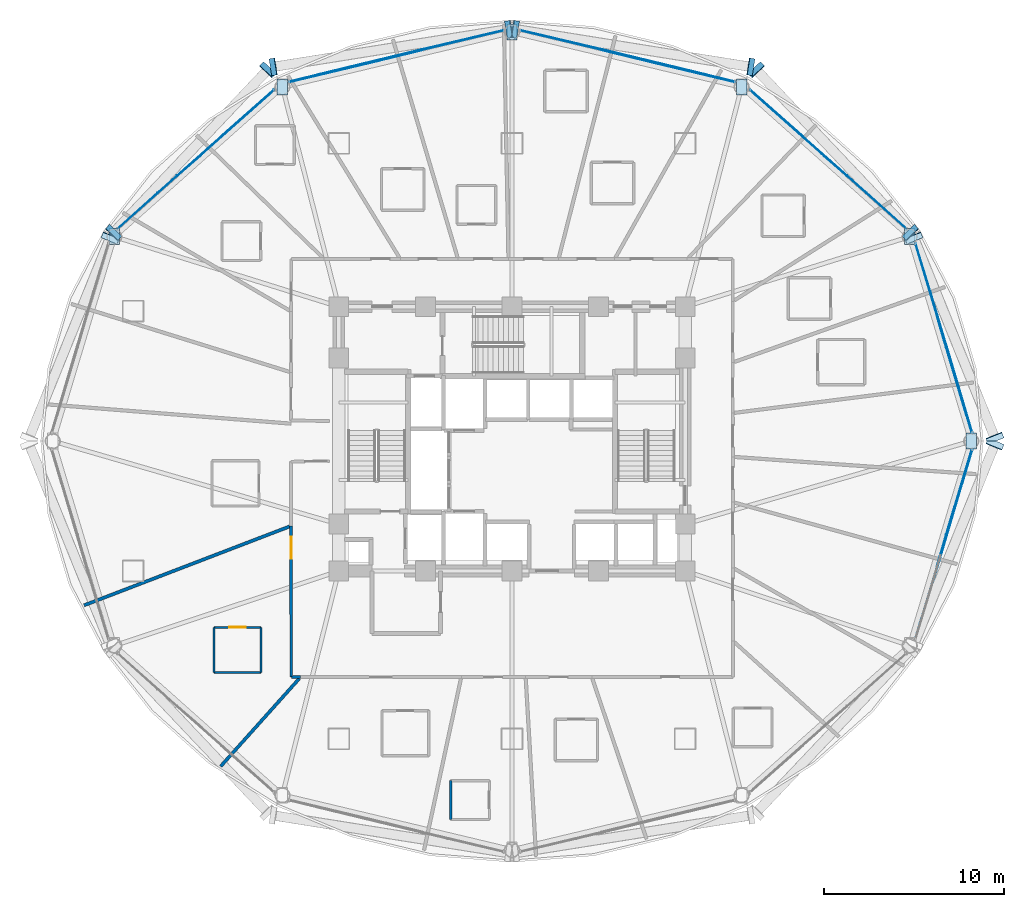
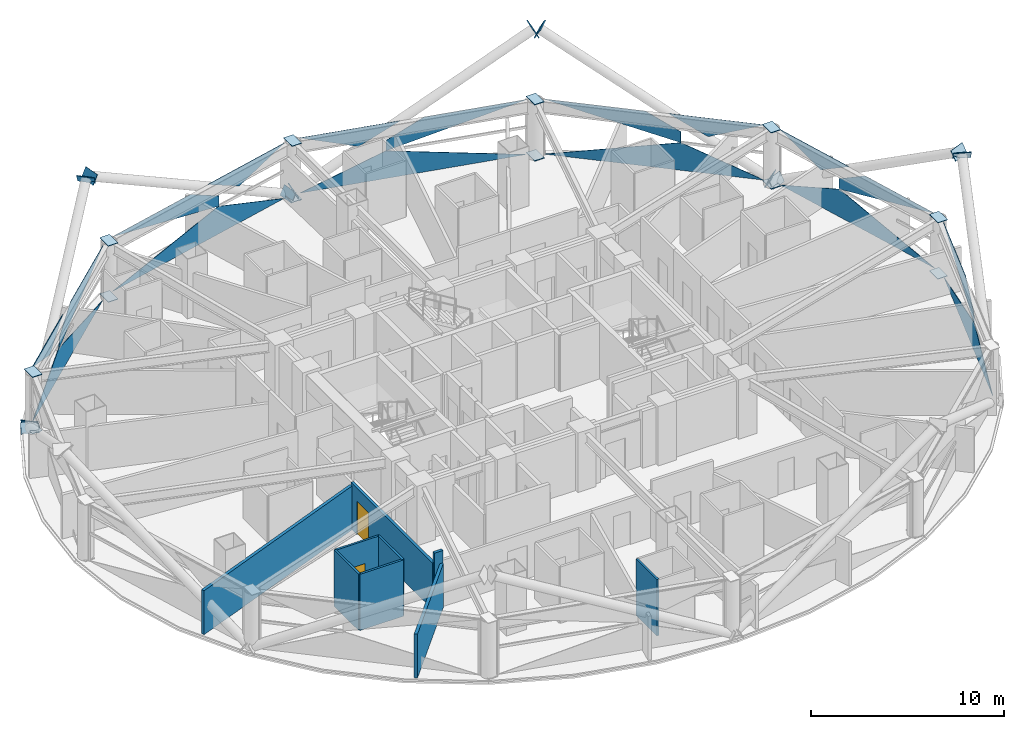
# One storey, part 22 of 31: 41 plates, 9 walls, 2 doors, 2 openings, 6 elements without a shape of their own.
"""IFC4 building model written with IfcOpenShell, lengths in metres."""

from ifc_helpers import new_model, si_unit, direction, frame, frame_2d, origin, place, context, subcontext, project, spatial, polyline, rectangle, outline, extrude, material, layer, layer_set, type_object, element, fill, aggregate, save


model = new_model("IFC4")

# Units and contexts
model_context = context("Model", 3, precision=1e-05, world=origin(), true_north=direction((0.0, 1.0)))
body_context = subcontext(model_context, "Body", "Model", "MODEL_VIEW")
ifc_project = project(units=[si_unit("LENGTHUNIT", "METRE"), si_unit("AREAUNIT", "SQUARE_METRE"), si_unit("VOLUMEUNIT", "CUBIC_METRE"), si_unit("PLANEANGLEUNIT", "RADIAN"), si_unit("MASSUNIT", "GRAM", prefix="KILO")], contexts=[model_context])

# Site, building, storey
site_placement = place(None, origin())
site = spatial("IfcSite", under=ifc_project, at=site_placement, CompositionType="ELEMENT")
building_placement = place(site_placement, origin())
building = spatial("IfcBuilding", under=site, at=building_placement, Name="Vantalir Tower", CompositionType="ELEMENT")
storey_placement = place(building_placement, frame((0.0, 0.0, 34.5)))
storey = spatial("IfcBuildingStorey", under=building, at=storey_placement, Name="L07", CompositionType="ELEMENT", Elevation=34.5)

# Curtain wall, plates
ifc_material_1 = material(Name="Champagne-silver PVDF aluminium and double-silver Low-E glass", Category="aluminium")
ifc_layer_1 = layer(ifc_material_1, 0.18994140625)
ifc_layer_set_1 = layer_set([ifc_layer_1], Name="Champagne-silver PVDF aluminium and double-silver Low-E glass")
curtain_wall_type = type_object("IfcCurtainWallType", Name="CW-DIAMOND-Z1", PredefinedType="USERDEFINED", material=ifc_layer_set_1)
curtain_wall_1_placement = place(storey_placement, origin())
curtain_wall_1 = element("IfcCurtainWall", 1, at=curtain_wall_1_placement, inside=storey, type_object=curtain_wall_type, Name="L07 Quilted Pyramid-Diamond Curtain Wall S01", ObjectType="UNITISED CURTAIN WALL", PredefinedType="USERDEFINED")
ifc_material_2 = material(Name="Double-silver Low-E laminated glass IGU", Category="glass")
ifc_layer_2 = layer(ifc_material_2, 0.028076171875)
ifc_layer_set_2 = layer_set([ifc_layer_2], Name="Double-silver Low-E laminated glass IGU")
plate_type_1 = type_object("IfcPlateType", Name="CWP-IGU-28", PredefinedType="CURTAIN_PANEL", material=ifc_layer_set_2)
plate_1_placement = place(storey_placement, frame((57.00048828125, 25.46435546875, 0.04638671875), z_axis=(-0.957578880535, -0.287846289434, 0.013682149448), x_axis=(-0.287872943892, 0.957668610574, 2.2270845e-05)))
plate_1 = element("IfcPlate", 2, at=plate_1_placement, type_object=plate_type_1, Name="CW-L07-S01 Pyramid Diamond Facet 1L", PredefinedType="CURTAIN_PANEL", context=body_context, shape_type="SweptSolid", body=[
    extrude(outline(polyline([(0.0, 0.0), (10.962342191971807, -4.960224939121183e-18), (6.791215988403775, -1.7265728701411234), (0.0, 0.0)])), origin(), (0.0, 0.0, -1.0), 0.028076171875),
])
plate_2_placement = place(storey_placement, frame((57.00048828125, 25.46435546875, 3.5234375), z_axis=(0.95757709555, 0.287851926147, 0.013688487562), x_axis=(-0.287878896961, 0.957666821334, -8.0838e-08)))
plate_2 = element("IfcPlate", 3, at=plate_2_placement, type_object=plate_type_1, Name="CW-L07-S01 Pyramid Diamond Facet 2U", PredefinedType="CURTAIN_PANEL", context=body_context, shape_type="SweptSolid", body=[
    extrude(outline(polyline([(0.0, 0.0), (4.9451764766655355, -3.469446951953614e-18), (6.791065521507338, -1.0745630193233766), (6.79117753067701, -1.7267241305527814), (0.0, 0.0)])), origin(), (0.0, 0.0, -1.0), 0.028076171875),
])
plate_3_placement = place(storey_placement, frame((55.27001953125, 31.33203125, 3.52392578125), z_axis=(0.957575984619, 0.287852951573, 0.013744524407), x_axis=(-0.287879481159, 0.957666644396, -5.0390247e-05)))
plate_3 = element("IfcPlate", 4, at=plate_3_placement, type_object=plate_type_1, Name="CW-L07-S01 Pyramid Diamond Facet 2U Infill Light", PredefinedType="CURTAIN_PANEL", context=body_context, shape_type="SweptSolid", body=[
    extrude(outline(polyline([(0.0, 0.0), (4.844997583739049, -4.607859233063394e-19), (2.0135200629458447, -1.1718842364116733), (0.0, 0.0)])), origin(), (0.0, 0.0, -1.0), 0.028076171875),
])
aggregate(curtain_wall_1, [plate_1, plate_2, plate_3])

curtain_wall_2_placement = place(storey_placement, origin())
curtain_wall_2 = element("IfcCurtainWall", 5, at=curtain_wall_2_placement, inside=storey, type_object=curtain_wall_type, Name="L07 Quilted Pyramid-Diamond Curtain Wall S02", ObjectType="UNITISED CURTAIN WALL", PredefinedType="USERDEFINED")
plate_4_placement = place(storey_placement, frame((53.343017578125, 36.749755859375, 0.046630859375), z_axis=(-0.665308885605, -0.746444198425, 0.013606813458), x_axis=(-0.746513498737, 0.66537026967, -2.1043369e-05)))
plate_4 = element("IfcPlate", 6, at=plate_4_placement, type_object=plate_type_1, Name="CW-L07-S02 Pyramid Diamond Facet 1L", PredefinedType="CURTAIN_PANEL", context=body_context, shape_type="SweptSolid", body=[
    extrude(outline(polyline([(0.0, 0.0), (11.601784410505761, 9.920449878242366e-18), (4.410452310106066, -1.726815174474904), (0.0, 0.0)])), origin(), (0.0, 0.0, -1.0), 0.028076171875),
])
plate_5_placement = place(storey_placement, frame((48.67236328125, 40.912841796875, 3.5234375), z_axis=(0.665295896096, 0.746457044834, 0.013537018017), x_axis=(-0.746525859022, 0.665356400532, 4.5640372e-05)))
plate_5 = element("IfcPlate", 7, at=plate_5_placement, type_object=plate_type_1, Name="CW-L07-S02 Pyramid Diamond Facet 2U", PredefinedType="CURTAIN_PANEL", context=body_context, shape_type="SweptSolid", body=[
    extrude(outline(polyline([(0.0, 0.0), (5.34508431934579, -6.965998958219366e-18), (-1.8462906958364507, -1.7268806104543608), (-1.8464134828495853, -1.035411184032086), (0.0, 0.0)])), origin(), (0.0, 0.0, -1.0), 0.028076171875),
])
plate_6_placement = place(storey_placement, frame((53.3642578125, 36.7734375, 3.52392578125), z_axis=(0.665342965553, 0.746415182255, 0.013531958037), x_axis=(-0.746483531135, 0.665403890689, 0.0)))
plate_6 = element("IfcPlate", 8, at=plate_6_placement, type_object=plate_type_1, Name="CW-L07-S02 Pyramid Diamond Facet 2U Infill Light", PredefinedType="CURTAIN_PANEL", context=body_context, shape_type="SweptSolid", body=[
    extrude(outline(polyline([(0.0, 0.0), (5.052661389449345, 0.0), (2.975530594401684, -1.1651457445678306), (0.0, 0.0)])), origin(), (0.0, 0.0, -1.0), 0.028076171875),
])
aggregate(curtain_wall_2, [plate_4, plate_5, plate_6])

curtain_wall_3_placement = place(storey_placement, origin())
curtain_wall_3 = element("IfcCurtainWall", 9, at=curtain_wall_3_placement, inside=storey, type_object=curtain_wall_type, Name="L07 Quilted Pyramid-Diamond Curtain Wall S03", ObjectType="UNITISED CURTAIN WALL", PredefinedType="USERDEFINED")
plate_7_placement = place(storey_placement, frame((43.848388671875, 44.90478515625, 0.04638671875), z_axis=(-0.232286508823, -0.972549752748, 0.013782461632), x_axis=(-0.972642072645, 0.232308842109, 1.9993876e-05)))
plate_7 = element("IfcPlate", 10, at=plate_7_placement, type_object=plate_type_1, Name="CW-L07-S03 Pyramid Diamond Facet 1L", PredefinedType="CURTAIN_PANEL", context=body_context, shape_type="SweptSolid", body=[
    extrude(outline(polyline([(0.0, 0.0), (12.210770352635775, -5.963111948670274e-19), (7.564815878873884, -1.727063572655862), (0.0, 0.0)])), origin(), (0.0, 0.0, -1.0), 0.028076171875),
])
plate_8_placement = place(storey_placement, frame((43.848388671875, 44.90478515625, 3.523681640625), z_axis=(0.232265562903, 0.972552635623, 0.013931232274), x_axis=(-0.972647026321, 0.232288101694, 2.54665e-07)))
plate_8 = element("IfcPlate", 11, at=plate_8_placement, type_object=plate_type_1, Name="CW-L07-S03 Pyramid Diamond Facet 2U", PredefinedType="CURTAIN_PANEL", context=body_context, shape_type="SweptSolid", body=[
    extrude(outline(polyline([(0.0, 0.0), (5.536172911172143, 3.469446951953614e-18), (7.564876137438785, -1.0699299758912284), (7.56478040077165, -1.727463078978955), (0.0, 0.0)])), origin(), (0.0, 0.0, -1.0), 0.028076171875),
])
plate_9_placement = place(storey_placement, frame((37.241943359375, 46.515380859375, 3.52392578125), z_axis=(0.232297726161, 0.972546529978, 0.013820761463), x_axis=(-0.97263942802, 0.232319915335, 0.0)))
plate_9 = element("IfcPlate", 12, at=plate_9_placement, type_object=plate_type_1, Name="CW-L07-S03 Pyramid Diamond Facet 2U Infill Light", PredefinedType="CURTAIN_PANEL", context=body_context, shape_type="SweptSolid", body=[
    extrude(outline(polyline([(0.0, 0.0), (5.410987156709802, 0.0), (2.2373670714759313, -1.1798001842315358), (0.0, 0.0)])), origin(), (0.0, 0.0, -1.0), 0.028076171875),
])
aggregate(curtain_wall_3, [plate_7, plate_8, plate_9])

curtain_wall_4_placement = place(storey_placement, origin())
curtain_wall_4 = element("IfcCurtainWall", 13, at=curtain_wall_4_placement, inside=storey, type_object=curtain_wall_type, Name="L07 Quilted Pyramid-Diamond Curtain Wall S04", ObjectType="UNITISED CURTAIN WALL", PredefinedType="USERDEFINED")
plate_10_placement = place(storey_placement, frame((31.0283203125, 47.741455078125, 0.046630859375), z_axis=(0.232286508823, -0.972549752748, 0.013782461632), x_axis=(-0.972642072645, -0.232308842109, -1.9993876e-05)))
plate_10 = element("IfcPlate", 14, at=plate_10_placement, type_object=plate_type_1, Name="CW-L07-S04 Pyramid Diamond Facet 1L", PredefinedType="CURTAIN_PANEL", context=body_context, shape_type="SweptSolid", body=[
    extrude(outline(polyline([(0.0, 0.0), (12.210770352635775, 5.963111948670274e-19), (4.645954473761892, -1.7270635726558619), (0.0, 0.0)])), origin(), (0.0, 0.0, -1.0), 0.028076171875),
])
plate_11_placement = place(storey_placement, frame((24.536865234375, 46.19091796875, 3.523681640625), z_axis=(-0.232277684126, 0.972550970062, 0.013845146767), x_axis=(-0.972644197042, -0.232299948258, -1.11506e-07)))
plate_11 = element("IfcPlate", 15, at=plate_11_placement, type_object=plate_type_1, Name="CW-L07-S04 Pyramid Diamond Facet 2U", PredefinedType="CURTAIN_PANEL", context=body_context, shape_type="SweptSolid", body=[
    extrude(outline(polyline([(0.0, 0.0), (5.536704547308052, 0.0), (-2.028076392062208, -1.7274607227743901), (-2.028171924269427, -1.0699276133808429), (0.0, 0.0)])), origin(), (0.0, 0.0, -1.0), 0.028076171875),
])
plate_12_placement = place(storey_placement, frame((31.02099609375, 47.7724609375, 3.52392578125), z_axis=(-0.232275630019, 0.972552681634, 0.013759111378), x_axis=(-0.972644753211, -0.232297619556, 0.0)))
plate_12 = element("IfcPlate", 16, at=plate_12_placement, type_object=plate_type_1, Name="CW-L07-S04 Pyramid Diamond Facet 2U Infill Light", PredefinedType="CURTAIN_PANEL", context=body_context, shape_type="SweptSolid", body=[
    extrude(outline(polyline([(0.0, 0.0), (5.4104555178062474, 0.0), (3.1736204581748697, -1.179799181033172), (0.0, 0.0)])), origin(), (0.0, 0.0, -1.0), 0.028076171875),
])
aggregate(curtain_wall_4, [plate_10, plate_11, plate_12])

curtain_wall_5_placement = place(storey_placement, origin())
curtain_wall_5 = element("IfcCurtainWall", 17, at=curtain_wall_5_placement, inside=storey, type_object=curtain_wall_type, Name="L07 Quilted Pyramid-Diamond Curtain Wall S05", ObjectType="UNITISED CURTAIN WALL", PredefinedType="USERDEFINED")
plate_13_placement = place(storey_placement, frame((18.31787109375, 44.46923828125, 0.04638671875), z_axis=(0.665308885605, -0.746444198425, 0.013606813458), x_axis=(-0.746513498737, -0.66537026967, 2.1043369e-05)))
plate_13 = element("IfcPlate", 18, at=plate_13_placement, type_object=plate_type_1, Name="CW-L07-S05 Pyramid Diamond Facet 1L", PredefinedType="CURTAIN_PANEL", context=body_context, shape_type="SweptSolid", body=[
    extrude(outline(polyline([(0.0, 0.0), (11.601784410505761, -9.920449878242366e-18), (7.191332100399694, -1.7268151744749043), (0.0, 0.0)])), origin(), (0.0, 0.0, -1.0), 0.028076171875),
])
plate_14_placement = place(storey_placement, frame((18.31787109375, 44.46923828125, 3.523681640625), z_axis=(-0.665305911863, 0.746446330813, 0.013635206487), x_axis=(-0.746516141593, -0.665367303279, -4.5479873e-05)))
plate_14 = element("IfcPlate", 19, at=plate_14_placement, type_object=plate_type_1, Name="CW-L07-S05 Pyramid Diamond Facet 2U", PredefinedType="CURTAIN_PANEL", context=body_context, shape_type="SweptSolid", body=[
    extrude(outline(polyline([(0.0, 0.0), (5.344557365955476, 3.6591823321385775e-18), (7.191497441658405, -1.0356578831984822), (7.191374396068569, -1.7268831869432324), (0.0, 0.0)])), origin(), (0.0, 0.0, -1.0), 0.028076171875),
])
plate_15_placement = place(storey_placement, frame((13.40771484375, 40.1357421875, 3.52392578125), z_axis=(-0.665345979622, 0.74641267682, 0.013521955578), x_axis=(-0.746480924451, -0.665406814987, 0.0)))
plate_15 = element("IfcPlate", 20, at=plate_15_placement, type_object=plate_type_1, Name="CW-L07-S05 Pyramid Diamond Facet 2U Infill Light", PredefinedType="CURTAIN_PANEL", context=body_context, shape_type="SweptSolid", body=[
    extrude(outline(polyline([(0.0, 0.0), (5.053006088565713, 6.938893903907228e-18), (2.0774754324217892, -1.1651455868914753), (0.0, 0.0)])), origin(), (0.0, 0.0, -1.0), 0.028076171875),
])
aggregate(curtain_wall_5, [plate_13, plate_14, plate_15])

curtain_wall_6_placement = place(storey_placement, origin())
curtain_wall_6 = element("IfcCurtainWall", 21, at=curtain_wall_6_placement, inside=storey, type_object=curtain_wall_type, Name="L07 Quilted Pyramid-Diamond Curtain Wall S12", ObjectType="UNITISED CURTAIN WALL", PredefinedType="USERDEFINED")
plate_16_placement = place(storey_placement, frame((53.8447265625, 14.037353515625, 0.046630859375), z_axis=(-0.957578880535, 0.287846289434, 0.013682149448), x_axis=(0.287872943892, 0.957668610574, -2.2270845e-05)))
plate_16 = element("IfcPlate", 22, at=plate_16_placement, type_object=plate_type_1, Name="CW-L07-S12 Pyramid Diamond Facet 1L", PredefinedType="CURTAIN_PANEL", context=body_context, shape_type="SweptSolid", body=[
    extrude(outline(polyline([(0.0, 0.0), (10.962342191971807, 4.960224939121183e-18), (4.17112620356803, -1.7265728701411234), (0.0, 0.0)])), origin(), (0.0, 0.0, -1.0), 0.028076171875),
])
plate_17_placement = place(storey_placement, frame((55.576904296875, 19.7998046875, 3.5234375), z_axis=(0.95757709555, -0.287851926147, 0.013688487562), x_axis=(0.287878896961, 0.957666821334, 8.0838e-08)))
plate_17 = element("IfcPlate", 23, at=plate_17_placement, type_object=plate_type_1, Name="CW-L07-S12 Pyramid Diamond Facet 2U", PredefinedType="CURTAIN_PANEL", context=body_context, shape_type="SweptSolid", body=[
    extrude(outline(polyline([(0.0, 0.0), (4.9451764766655355, 3.469446951953614e-18), (-1.8460010540114744, -1.7267241305527814), (-1.8458890448418033, -1.0745630193233766), (0.0, 0.0)])), origin(), (0.0, 0.0, -1.0), 0.028076171875),
])
aggregate(curtain_wall_6, [plate_16, plate_17])

# Plates
ifc_material_3 = material(Name="Steel S460", Category="steel")
ifc_layer_3 = layer(ifc_material_3, 0.0400390625)
ifc_layer_set_3 = layer_set([ifc_layer_3], Name="Steel S460")
plate_type_2 = type_object("IfcPlateType", Name="PLT-KN-Z1", PredefinedType="USERDEFINED", material=ifc_layer_set_3)
plate_18_placement = place(storey_placement, frame((53.80908203125, 37.008056640625, -0.0791015625), z_axis=(-0.599820441711, 0.633679464776, 0.488534311617), x_axis=(-0.726242994845, -0.687438078985, 0.0)))
element("IfcPlate", 24, at=plate_18_placement, inside=storey, type_object=plate_type_2, Name="Node Cap Plate MEM-DG-L07-R04L Start", ObjectType="FLANGE_PLATE", PredefinedType="USERDEFINED", context=body_context, shape_type="SweptSolid", body=[
    extrude(outline(polyline([(0.0, 0.0), (0.9500145421671882, 0.0), (0.9499892576365012, 0.620043459822388), (-2.5284530686953133e-05, 0.620043459822388), (0.0, 0.0)])), origin(), (0.0, 0.0, -1.0), 0.0400390625),
])
plate_19_placement = place(storey_placement, frame((45.2685546875, 46.029541015625, 6.877685546875), z_axis=(-0.5998376671, 0.633579236488, 0.488643146088), x_axis=(-0.726163532153, -0.687522016367, 3.9773685e-05)))
element("IfcPlate", 25, at=plate_19_placement, inside=storey, type_object=plate_type_2, Name="Node Cap Plate MEM-DG-L07-R04L End", ObjectType="FLANGE_PLATE", PredefinedType="USERDEFINED", context=body_context, shape_type="SweptSolid", body=[
    extrude(outline(polyline([(0.0, 0.0), (0.9501823871245255, 0.0), (0.950213632804475, 0.6200434547270608), (0.00019909773472647846, 0.6201300785002961), (0.0, 0.0)])), origin(), (0.0, 0.0, -1.0), 0.0400390625),
])
plate_20_placement = place(storey_placement, frame((53.39697265625, 35.921630859375, -0.073486328125), z_axis=(0.324348519355, -0.801593086203, 0.502241537653), x_axis=(0.926978097613, 0.375115454054, 5.1730214e-05)))
element("IfcPlate", 26, at=plate_20_placement, inside=storey, type_object=plate_type_2, Name="Node Cap Plate MEM-DG-L07-R04R Start", ObjectType="FLANGE_PLATE", PredefinedType="USERDEFINED", context=body_context, shape_type="SweptSolid", body=[
    extrude(outline(polyline([(0.0, 0.0), (0.9500191799336452, -2.7755575615628914e-17), (0.9501179435034988, 0.6199452884684159), (0.00019034449125337807, 0.6200589481672679), (0.0, 0.0)])), origin(), (0.0, 0.0, -1.0), 0.0400390625),
])
plate_21_placement = place(storey_placement, frame((57.885986328125, 24.828125, 6.87744140625), z_axis=(0.32429785934, -0.801578984289, 0.502296755289), x_axis=(0.927000734219, 0.375059512357, 3.0797032e-05)))
element("IfcPlate", 27, at=plate_21_placement, inside=storey, type_object=plate_type_2, Name="Node Cap Plate MEM-DG-L07-R04R End", ObjectType="FLANGE_PLATE", PredefinedType="USERDEFINED", context=body_context, shape_type="SweptSolid", body=[
    extrude(outline(polyline([(0.0, 0.0), (0.9502454924566439, 0.0), (0.9500879295169399, 0.6199912849772323), (0.00016032286268275185, 0.6200589616401194), (0.0, 0.0)])), origin(), (0.0, 0.0, -1.0), 0.0400390625),
])
plate_22_placement = place(storey_placement, frame((31.083251953125, 48.2685546875, -0.087890625), z_axis=(-0.873501895215, -0.139464778846, 0.466416138784), x_axis=(0.157633133954, -0.987497742476, -6.070332e-05)))
element("IfcPlate", 28, at=plate_22_placement, inside=storey, type_object=plate_type_2, Name="Node Cap Plate MEM-DG-L07-R10L Start", ObjectType="FLANGE_PLATE", PredefinedType="USERDEFINED", context=body_context, shape_type="SweptSolid", body=[
    extrude(outline(polyline([(0.0, 0.0), (0.9500934900997524, 0.0), (0.9500037316102368, 0.6199626391592217), (0.00011284517467441804, 0.6198322526935731), (0.0, 0.0)])), origin(), (0.0, 0.0, -1.0), 0.0400390625),
])
plate_23_placement = place(storey_placement, frame((18.032470703125, 46.1845703125, 6.878173828125), z_axis=(-0.873501895215, -0.139464778846, 0.466416138784), x_axis=(0.157687644765, -0.987489040321, 4.3986328e-05)))
element("IfcPlate", 29, at=plate_23_placement, inside=storey, type_object=plate_type_2, Name="Node Cap Plate MEM-DG-L07-R10L End", ObjectType="FLANGE_PLATE", PredefinedType="USERDEFINED", context=body_context, shape_type="SweptSolid", body=[
    extrude(outline(polyline([(0.0, 0.0), (0.9501319814058832, 0.0), (0.9500770984671998, 0.6198502004474862), (0.00022470121294896483, 0.6199446799900126), (0.0, 0.0)])), origin(), (0.0, 0.0, -1.0), 0.0400390625),
])
plate_24_placement = place(storey_placement, frame((31.76708984375, 47.330322265625, -0.087890625), z_axis=(0.873501895215, -0.139464778846, 0.466416138784), x_axis=(0.157633133954, 0.987497742476, 6.070332e-05)))
element("IfcPlate", 30, at=plate_24_placement, inside=storey, type_object=plate_type_2, Name="Node Cap Plate MEM-DG-L07-R10R Start", ObjectType="FLANGE_PLATE", PredefinedType="USERDEFINED", context=body_context, shape_type="SweptSolid", body=[
    extrude(outline(polyline([(0.0, 0.0), (0.9500934900997524, 0.0), (0.9499806449250779, 0.6198322526935731), (8.975848951562778e-05, 0.6199626391592217), (0.0, 0.0)])), origin(), (0.0, 0.0, -1.0), 0.0400390625),
])
plate_25_placement = place(storey_placement, frame((44.818603515625, 45.246337890625, 6.878173828125), z_axis=(0.873501895215, -0.139464778846, 0.466416138784), x_axis=(0.157687644765, 0.987489040321, -4.3986328e-05)))
element("IfcPlate", 31, at=plate_25_placement, inside=storey, type_object=plate_type_2, Name="Node Cap Plate MEM-DG-L07-R10R End", ObjectType="FLANGE_PLATE", PredefinedType="USERDEFINED", context=body_context, shape_type="SweptSolid", body=[
    extrude(outline(polyline([(0.0, 0.0), (0.9501319814058832, 0.0), (0.9499072801929341, 0.6199446799900126), (5.4882938683289905e-05, 0.6198502004474862), (0.0, 0.0)])), origin(), (0.0, 0.0, -1.0), 0.0400390625),
])
plate_26_placement = place(storey_placement, frame((8.722412109375, 36.278076171875, -0.073486328125), z_axis=(-0.324348519355, -0.801593086203, 0.502241537653), x_axis=(0.926978097613, -0.375115454054, -5.1730214e-05)))
element("IfcPlate", 32, at=plate_26_placement, inside=storey, type_object=plate_type_2, Name="Node Cap Plate MEM-DG-L07-R16L Start", ObjectType="FLANGE_PLATE", PredefinedType="USERDEFINED", context=body_context, shape_type="SweptSolid", body=[
    extrude(outline(polyline([(0.0, 0.0), (0.9500191799336452, 2.7755575615628914e-17), (0.9498288354423918, 0.620058948167268), (-9.876356985355274e-05, 0.619945288468416), (0.0, 0.0)])), origin(), (0.0, 0.0, -1.0), 0.0400390625),
])
plate_27_placement = place(storey_placement, frame((9.880859375, 36.35498046875, -0.0791015625), z_axis=(0.599820441711, 0.633679464776, 0.488534311617), x_axis=(-0.726242994845, 0.687438078985, 0.0)))
element("IfcPlate", 33, at=plate_27_placement, inside=storey, type_object=plate_type_2, Name="Node Cap Plate MEM-DG-L07-R16R Start", ObjectType="FLANGE_PLATE", PredefinedType="USERDEFINED", context=body_context, shape_type="SweptSolid", body=[
    extrude(outline(polyline([(0.0, 0.0), (0.9500145421671882, 0.0), (0.9500398266978753, 0.620043459822388), (2.5284530686953133e-05, 0.620043459822388), (0.0, 0.0)])), origin(), (0.0, 0.0, -1.0), 0.0400390625),
])
plate_28_placement = place(storey_placement, frame((18.42236328125, 45.376220703125, 6.877685546875), z_axis=(0.599938677042, 0.633567526652, 0.488534310935), x_axis=(-0.726114705254, 0.687573585018, 0.0)))
element("IfcPlate", 34, at=plate_28_placement, inside=storey, type_object=plate_type_2, Name="Node Cap Plate MEM-DG-L07-R16R End", ObjectType="FLANGE_PLATE", PredefinedType="USERDEFINED", context=body_context, shape_type="SweptSolid", body=[
    extrude(outline(polyline([(0.0, 0.0), (0.9501823902721652, -2.7755575615628914e-17), (0.9501511508875986, 0.6200434595509621), (-3.123938456661701e-05, 0.6200434595509622), (0.0, 0.0)])), origin(), (0.0, 0.0, -1.0), 0.0400390625),
])
plate_29_placement = place(storey_placement, frame((58.766845703125, 24.8154296875, 6.87744140625), z_axis=(0.32429785934, 0.801578984289, 0.502296755289), x_axis=(-0.927000734219, 0.375059512357, -3.0797032e-05)))
element("IfcPlate", 35, at=plate_29_placement, inside=storey, type_object=plate_type_2, Name="Node Cap Plate MEM-DG-L07-R34L End", ObjectType="FLANGE_PLATE", PredefinedType="USERDEFINED", context=body_context, shape_type="SweptSolid", body=[
    extrude(outline(polyline([(0.0, 0.0), (0.9502454924566439, 0.0), (0.9500851695939612, 0.6200589616401195), (0.00015756293970395075, 0.6199912849772323), (0.0, 0.0)])), origin(), (0.0, 0.0, -1.0), 0.0400390625),
])
ifc_layer_4 = layer(ifc_material_3, 0.035888671875)
ifc_layer_set_4 = layer_set([ifc_layer_4], Name="Steel S460")
plate_type_3 = type_object("IfcPlateType", Name="PLT-KN-Z2", PredefinedType="USERDEFINED", material=ifc_layer_set_4)
for number, where, z_axis, x_axis, name in (
    (36, (56.659912109375, 25.43994140625, 3.597900390625), (0.0, 0.0, 1.0), (0.0, -1.0, 0.0), "L07 Ring Column Top Cap RC01"),
    (37, (56.659912109375, 25.43994140625, 0.052978515625), (0.0, 0.0, 1.0), (0.0, -1.0, 0.0), "L07 Ring Column Base Cap RC01"),
    (38, (53.25, 36.77197265625, 3.597900390625), (0.0, 0.0, 1.0), (0.0, -1.0, 0.0), "L07 Ring Column Top Cap RC02"),
    (39, (53.25, 36.77197265625, 0.052978515625), (0.0, 0.0, 1.0), (0.0, -1.0, 0.0), "L07 Ring Column Base Cap RC02"),
):
    element("IfcPlate", number, at=place(storey_placement, frame(where, z_axis=z_axis, x_axis=x_axis)), inside=storey, type_object=plate_type_3, Name=name, ObjectType="FLANGE_PLATE", PredefinedType="USERDEFINED", context=body_context, shape_type="SweptSolid", body=[
        extrude(outline(polyline([(0.0, 0.0), (0.8798828125, 0.0), (0.8798828125, 0.580078125), (0.0, 0.580078125), (0.0, 0.0)])), origin(), (0.0, 0.0, -1.0), 0.035888671875),
    ])
for number, where, z_axis, x_axis, name in (
    (40, (43.93505859375, 45.068115234375, 3.597900390625), (0.0, 0.0, 1.0), (0.0, -1.0, 0.0), "L07 Ring Column Top Cap RC03"),
    (41, (43.93505859375, 45.068115234375, 0.052978515625), (0.0, 0.0, 1.0), (0.0, -1.0, 0.0), "L07 Ring Column Base Cap RC03"),
):
    element("IfcPlate", number, at=place(storey_placement, frame(where, z_axis=z_axis, x_axis=x_axis)), inside=storey, type_object=plate_type_3, Name=name, ObjectType="FLANGE_PLATE", PredefinedType="USERDEFINED", context=body_context, shape_type="SweptSolid", body=[
        extrude(outline(polyline([(0.0, 0.0), (0.880126953125, 0.0), (0.880126953125, 0.579833984375), (0.0, 0.579833984375), (0.0, 0.0)])), origin(), (0.0, 0.0, -1.0), 0.035888671875),
    ])
for number, where, z_axis, x_axis, name in (
    (42, (31.2099609375, 48.10400390625, 3.597900390625), (0.0, 0.0, 1.0), (0.0, -1.0, 0.0), "L07 Ring Column Top Cap RC04"),
    (43, (31.2099609375, 48.10400390625, 0.052978515625), (0.0, 0.0, 1.0), (0.0, -1.0, 0.0), "L07 Ring Column Base Cap RC04"),
):
    element("IfcPlate", number, at=place(storey_placement, frame(where, z_axis=z_axis, x_axis=x_axis)), inside=storey, type_object=plate_type_3, Name=name, ObjectType="FLANGE_PLATE", PredefinedType="USERDEFINED", context=body_context, shape_type="SweptSolid", body=[
        extrude(outline(polyline([(0.0, 0.0), (0.8798828125, 0.0), (0.8798828125, 0.580078125), (0.0, 0.580078125), (0.0, 0.0)])), origin(), (0.0, 0.0, -1.0), 0.035888671875),
    ])
for number, where, z_axis, x_axis, name in (
    (44, (18.485107421875, 45.068115234375, 3.597900390625), (0.0, 0.0, 1.0), (0.0, -1.0, 0.0), "L07 Ring Column Top Cap RC05"),
    (45, (18.485107421875, 45.068115234375, 0.052978515625), (0.0, 0.0, 1.0), (0.0, -1.0, 0.0), "L07 Ring Column Base Cap RC05"),
):
    element("IfcPlate", number, at=place(storey_placement, frame(where, z_axis=z_axis, x_axis=x_axis)), inside=storey, type_object=plate_type_3, Name=name, ObjectType="FLANGE_PLATE", PredefinedType="USERDEFINED", context=body_context, shape_type="SweptSolid", body=[
        extrude(outline(polyline([(0.0, 0.0), (0.880126953125, 0.0), (0.880126953125, 0.579833984375), (0.0, 0.579833984375), (0.0, 0.0)])), origin(), (0.0, 0.0, -1.0), 0.035888671875),
    ])
for number, where, z_axis, x_axis, name in (
    (46, (9.169921875, 36.77197265625, 3.597900390625), (0.0, 0.0, 1.0), (0.0, -1.0, 0.0), "L07 Ring Column Top Cap RC06"),
    (47, (9.169921875, 36.77197265625, 0.052978515625), (0.0, 0.0, 1.0), (0.0, -1.0, 0.0), "L07 Ring Column Base Cap RC06"),
):
    element("IfcPlate", number, at=place(storey_placement, frame(where, z_axis=z_axis, x_axis=x_axis)), inside=storey, type_object=plate_type_3, Name=name, ObjectType="FLANGE_PLATE", PredefinedType="USERDEFINED", context=body_context, shape_type="SweptSolid", body=[
        extrude(outline(polyline([(0.0, 0.0), (0.8798828125, 0.0), (0.8798828125, 0.580078125), (0.0, 0.580078125), (0.0, 0.0)])), origin(), (0.0, 0.0, -1.0), 0.035888671875),
    ])

# Wall
ifc_material_4 = material(Name="Moisture-resistant en-suite partition", Category="gypsum")
ifc_layer_5 = layer(ifc_material_4, 0.125)
ifc_layer_set_5 = layer_set([ifc_layer_5], Name="Moisture-resistant en-suite partition")
wall_type_1 = type_object("IfcWallType", Name="WL-BATH-125", PredefinedType="PARTITIONING", material=ifc_layer_set_5)
wall_1_placement = place(storey_placement, frame((14.989990234375, 12.176025390625, 0.0), z_axis=(0.0, 0.0, 1.0), x_axis=(1.0, 0.0, 0.0)))
element("IfcWall", 48, at=wall_1_placement, inside=storey, type_object=wall_type_1, Name="L07 En-suite 14 South Wall", PredefinedType="PARTITIONING", context=body_context, shape_type="SweptSolid", body=[
    extrude(rectangle(XDim=2.60009765625, YDim=0.125, at=frame_2d((1.300048828125, 0.0))), origin(), (0.0, 0.0, 1.0), 3.550048828125),
])

# Wall, opening, door
wall_2_placement = place(storey_placement, frame((14.989990234375, 14.676025390625, 0.0), z_axis=(0.0, 0.0, 1.0), x_axis=(1.0, 0.0, 0.0)))
wall_2 = element("IfcWall", 49, at=wall_2_placement, inside=storey, type_object=wall_type_1, Name="L07 En-suite 14 North Wall", PredefinedType="PARTITIONING", context=body_context, shape_type="SweptSolid", body=[
    extrude(rectangle(XDim=2.60009765625, YDim=0.125, at=frame_2d((1.300048828125, 0.0))), origin(), (0.0, 0.0, 1.0), 3.550048828125),
])
opening_1_placement = place(wall_2_placement, frame((0.85009765625, 0.0, 0.0)))
opening_1 = element("IfcOpeningElement", 50, at=opening_1_placement, cuts=wall_2, Name="Opening D-WC", PredefinedType="OPENING", context=body_context, shape_type="SweptSolid", body=[
    extrude(rectangle(XDim=0.89990234375, YDim=2.10009765625, at=frame_2d((0.449951171875, 1.050048828125))), frame((0.0, 0.072509765625, 0.0), z_axis=(0.0, -1.0, 0.0), x_axis=(1.0, 0.0, 0.0)), (0.0, 0.0, 1.0), 0.14501953125),
])
ifc_material_5 = material(Name="Moisture-resistant hardwood door", Category="wood")
door_type_1 = type_object("IfcDoorType", Name="DR-ENSUITE-900", OperationType="NOTDEFINED", PredefinedType="DOOR", material=ifc_material_5)
door_1_placement = place(opening_1_placement, frame((0.89990234375, 0.0, 0.0), z_axis=(0.0, 0.0, 1.0), x_axis=(-1.0, 0.0, 0.0)))
door_1 = element("IfcDoor", 51, at=door_1_placement, inside=storey, type_object=door_type_1, Name="L07 En-suite 14 Door", OperationType="SINGLE_SWING_RIGHT", OverallHeight=2.10009765625, OverallWidth=0.89990234375, PredefinedType="DOOR", context=body_context, shape_type="SweptSolid", body=[
    extrude(rectangle(XDim=0.89990234375, YDim=2.10009765625, at=frame_2d((0.449951171875, 1.050048828125))), frame((0.0, 0.02490234375, 0.0), z_axis=(0.0, -1.0, 0.0), x_axis=(1.0, 0.0, 0.0)), (0.0, 0.0, 1.0), 0.050048828125),
])
fill(opening_1, door_1)

# Walls
for number, where, z_axis, x_axis, name in (
    (52, (14.989990234375, 12.176025390625, 0.0), (0.0, 0.0, 1.0), (0.0, 1.0, 0.0), "L07 En-suite 14 West Wall"),
    (53, (17.590087890625, 12.176025390625, 0.0), (0.0, 0.0, 1.0), (0.0, 1.0, 0.0), "L07 En-suite 14 East Wall"),
):
    element("IfcWall", number, at=place(storey_placement, frame(where, z_axis=z_axis, x_axis=x_axis)), inside=storey, type_object=wall_type_1, Name=name, PredefinedType="PARTITIONING", context=body_context, shape_type="SweptSolid", body=[
        extrude(rectangle(XDim=2.5, YDim=0.125, at=frame_2d((1.25, 0.0))), origin(), (0.0, 0.0, 1.0), 3.550048828125),
    ])
wall_3_placement = place(storey_placement, frame((28.10009765625, 4.030029296875, 0.0), z_axis=(0.0, 0.0, 1.0), x_axis=(0.0, 1.0, 0.0)))
element("IfcWall", 54, at=wall_3_placement, inside=storey, type_object=wall_type_1, Name="L07 En-suite 16 West Wall", PredefinedType="PARTITIONING", context=body_context, shape_type="SweptSolid", body=[
    extrude(rectangle(XDim=2.14990234375, YDim=0.125, at=frame_2d((1.074951171875, 0.0))), origin(), (0.0, 0.0, 1.0), 3.550048828125),
])
ifc_material_6 = material(Name="Fire-rated hotel corridor acoustic partition", Category="gypsum")
ifc_layer_6 = layer(ifc_material_6, 0.159912109375)
ifc_layer_set_6 = layer_set([ifc_layer_6], Name="Fire-rated hotel corridor acoustic partition")
wall_type_2 = type_object("IfcWallType", Name="WL-CORR-160", PredefinedType="PARTITIONING", material=ifc_layer_set_6)
wall_4_placement = place(storey_placement, frame((19.780029296875, 11.91796875, 0.0), z_axis=(0.0, 0.0, 1.0), x_axis=(-0.999998173792, -0.001911128856, 0.0)))
element("IfcWall", 55, at=wall_4_placement, inside=storey, type_object=wall_type_2, Name="L07 Corridor Partition 25", PredefinedType="PARTITIONING", context=body_context, shape_type="SweptSolid", body=[
    extrude(rectangle(XDim=0.510986328125, YDim=0.159912109375, at=frame_2d((0.25537109375, 0.0))), origin(), (0.0, 0.0, 1.0), 3.550048828125),
])

# Wall, opening, door
wall_5_placement = place(storey_placement, frame((19.26904296875, 11.9169921875, 0.0), z_axis=(0.0, 0.0, 1.0), x_axis=(-0.001805419148, 0.99999837023, 0.0)))
wall_5 = element("IfcWall", 56, at=wall_5_placement, inside=storey, type_object=wall_type_2, Name="L07 Corridor Partition 26", PredefinedType="PARTITIONING", context=body_context, shape_type="SweptSolid", body=[
    extrude(rectangle(XDim=8.384033203125, YDim=0.159912109375, at=frame_2d((4.19189453125, 0.0))), origin(), (0.0, 0.0, 1.0), 2.927978515625),
])
opening_2_placement = place(wall_5_placement, frame((6.575927734375, 0.0, 0.0)))
opening_2 = element("IfcOpeningElement", 57, at=opening_2_placement, cuts=wall_5, Name="Opening D-STE", PredefinedType="OPENING", context=body_context, shape_type="SweptSolid", body=[
    extrude(rectangle(XDim=1.199951171875, YDim=2.10009765625, at=frame_2d((0.60009765625, 1.050048828125))), frame((0.0, 0.08984375, 0.0), z_axis=(0.0, -1.0, 0.0), x_axis=(1.0, 0.0, 0.0)), (0.0, 0.0, 1.0), 0.179931640625),
])
ifc_material_7 = material(Name="Solid-core teak veneer suite entrance door", Category="wood")
door_type_2 = type_object("IfcDoorType", Name="DR-SUITE-ENTRY-1200", OperationType="NOTDEFINED", PredefinedType="DOOR", material=ifc_material_7)
door_2_placement = place(opening_2_placement, origin())
door_2 = element("IfcDoor", 58, at=door_2_placement, inside=storey, type_object=door_type_2, Name="L07 Executive Club Hotel Suite 14 Door", OperationType="SINGLE_SWING_RIGHT", OverallHeight=2.10009765625, OverallWidth=1.199951171875, PredefinedType="DOOR", context=body_context, shape_type="SweptSolid", body=[
    extrude(rectangle(XDim=1.199951171875, YDim=2.10009765625, at=frame_2d((0.60009765625, 1.050048828125))), frame((0.0, 0.02490234375, 0.0), z_axis=(0.0, -1.0, 0.0), x_axis=(1.0, 0.0, 0.0)), (0.0, 0.0, 1.0), 0.050048828125),
])
fill(opening_2, door_2)

# Walls
ifc_material_8 = material(Name="Twin-stud acoustic fire-rated gypsum partition", Category="gypsum")
ifc_layer_7 = layer(ifc_material_8, 0.179931640625)
ifc_layer_set_7 = layer_set([ifc_layer_7], Name="Twin-stud acoustic fire-rated gypsum partition")
wall_type_3 = type_object("IfcWallType", Name="WL-GUEST-180", PredefinedType="PARTITIONING", material=ifc_layer_set_7)
wall_6_placement = place(storey_placement, frame((19.172119140625, 20.27001953125, 0.0), z_axis=(0.0, 0.0, 1.0), x_axis=(-0.933624963534, -0.358251905043, 0.0)))
element("IfcWall", 59, at=wall_6_placement, inside=storey, type_object=wall_type_3, Name="L07 Radial Suite Partition 14", PredefinedType="PARTITIONING", context=body_context, shape_type="SweptSolid", body=[
    extrude(rectangle(XDim=12.19580078125, YDim=0.179931640625, at=frame_2d((6.097900390625, 0.0))), origin(), (0.0, 0.0, 1.0), 2.77490234375),
])
wall_7_placement = place(storey_placement, frame((19.708984375, 11.837890625, 0.0), z_axis=(0.0, 0.0, 1.0), x_axis=(-0.667188622358, -0.744888811969, 0.0)))
element("IfcWall", 60, at=wall_7_placement, inside=storey, type_object=wall_type_3, Name="L07 Radial Suite Partition 15", PredefinedType="PARTITIONING", context=body_context, shape_type="SweptSolid", body=[
    extrude(rectangle(XDim=6.52294921875, YDim=0.179931640625, at=frame_2d((3.261474609375, 0.0))), origin(), (0.0, 0.0, 1.0), 2.77490234375),
])

save(model, "model.ifc")
